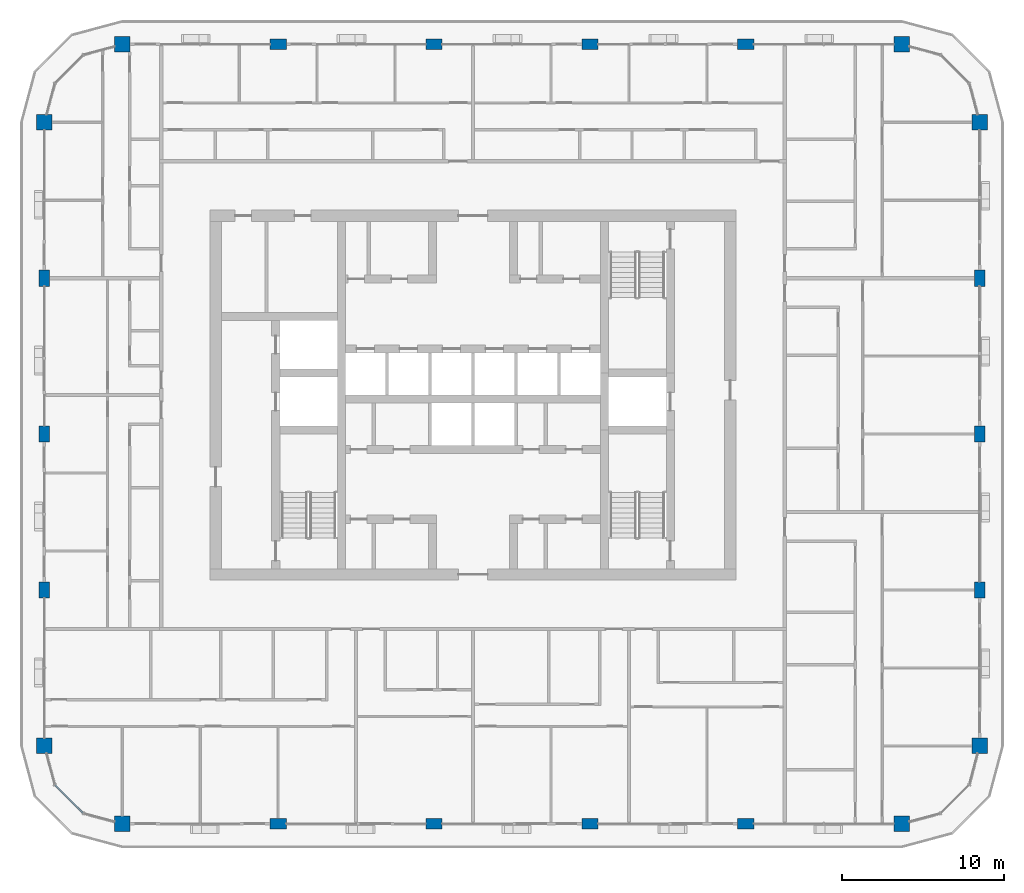
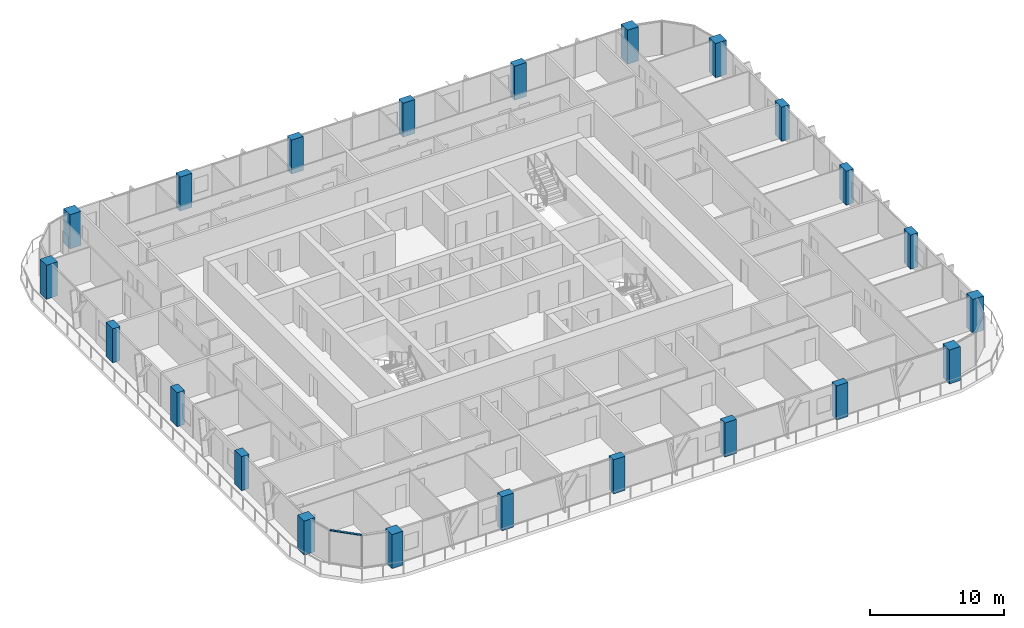
# One storey, part 1 of 22: 22 columns, 1 member, 1 element without a shape of its own.
"""IFC4 building model written with IfcOpenShell, lengths in metres."""

from ifc_helpers import new_model, si_unit, direction, frame, origin, origin_2d, place, context, subcontext, project, spatial, rectangle, extrude, material, layer, layer_set, material_profile, profile_set, type_object, element, aggregate, save


model = new_model("IFC4")

# Units and contexts
model_context = context("Model", 3, precision=1e-05, world=origin(), true_north=direction((0.0, 1.0)))
body_context = subcontext(model_context, "Body", "Model", "MODEL_VIEW")
ifc_project = project(units=[si_unit("LENGTHUNIT", "METRE"), si_unit("AREAUNIT", "SQUARE_METRE"), si_unit("VOLUMEUNIT", "CUBIC_METRE"), si_unit("PLANEANGLEUNIT", "RADIAN"), si_unit("MASSUNIT", "GRAM", prefix="KILO")], contexts=[model_context])

# Site, building, storey
site_placement = place(None, origin())
site = spatial("IfcSite", under=ifc_project, at=site_placement, CompositionType="ELEMENT")
building_placement = place(site_placement, origin())
building = spatial("IfcBuilding", under=site, at=building_placement, Name="Madar Terraces", CompositionType="ELEMENT")
storey_placement = place(building_placement, frame((0.0, 0.0, 199.89990234375)))
storey = spatial("IfcBuildingStorey", under=building, at=storey_placement, Name="L52", CompositionType="ELEMENT", Elevation=199.89990234375)

# Columns
ifc_material_1 = material(Name="Concrete C60/75", Category="concrete")
ifc_material_profile_1 = material_profile(ifc_material_1, rectangle(XDim=1.0, YDim=0.64990234375, at=origin_2d()), Name="CC4 RC 1000x650")
ifc_profile_set_1 = profile_set([ifc_material_profile_1], Name="Concrete C60/75")
column_type_1 = type_object("IfcColumnType", Name="CC4 RC 1000x650", PredefinedType="COLUMN", material=ifc_profile_set_1)
for number, where, z_axis, x_axis, name in (
    (1, (19.199951171875, 0.0, 0.0), (0.0, 0.0, 1.0), (1.0, 0.0, 0.0), "Perimeter column S2"),
    (2, (28.800048828125, 0.0, 0.0), (0.0, 0.0, 1.0), (1.0, 0.0, 0.0), "Perimeter column S3"),
    (3, (38.39990234375, 0.0, 0.0), (0.0, 0.0, 1.0), (1.0, 0.0, 0.0), "Perimeter column S4"),
    (4, (48.0, 0.0, 0.0), (0.0, 0.0, 1.0), (1.0, 0.0, 0.0), "Perimeter column S5"),
    (5, (62.39990234375, 14.39990234375, 0.0), (0.0, 0.0, 1.0), (0.0, 1.0, 0.0), "Perimeter column E2"),
    (6, (62.39990234375, 24.0, 0.0), (0.0, 0.0, 1.0), (0.0, 1.0, 0.0), "Perimeter column E3"),
    (7, (62.39990234375, 33.60009765625, 0.0), (0.0, 0.0, 1.0), (0.0, 1.0, 0.0), "Perimeter column E4"),
    (8, (48.0, 48.0, 0.0), (0.0, 0.0, 1.0), (1.0, 0.0, 0.0), "Perimeter column N2"),
    (9, (38.39990234375, 48.0, 0.0), (0.0, 0.0, 1.0), (1.0, 0.0, 0.0), "Perimeter column N3"),
    (10, (28.800048828125, 48.0, 0.0), (0.0, 0.0, 1.0), (1.0, 0.0, 0.0), "Perimeter column N4"),
    (11, (19.199951171875, 48.0, 0.0), (0.0, 0.0, 1.0), (1.0, 0.0, 0.0), "Perimeter column N5"),
    (12, (4.800048828125, 33.60009765625, 0.0), (0.0, 0.0, 1.0), (0.0, 1.0, 0.0), "Perimeter column W2"),
    (13, (4.800048828125, 24.0, 0.0), (0.0, 0.0, 1.0), (0.0, 1.0, 0.0), "Perimeter column W3"),
    (14, (4.800048828125, 14.39990234375, 0.0), (0.0, 0.0, 1.0), (0.0, 1.0, 0.0), "Perimeter column W4"),
):
    element("IfcColumn", number, at=place(storey_placement, frame(where, z_axis=z_axis, x_axis=x_axis)), inside=storey, type_object=column_type_1, Name=name, PredefinedType="COLUMN", context=body_context, shape_type="SweptSolid", body=[
        extrude(rectangle(XDim=1.0, YDim=0.64990234375, at=origin_2d()), origin(), (0.0, 0.0, 1.0), 3.10009765625),
    ])
ifc_material_2 = material(Name="Concrete C60/75", Category="concrete")
ifc_material_profile_2 = material_profile(ifc_material_2, rectangle(XDim=0.949951171875, YDim=0.949951171875, at=origin_2d()), Name="KC4 RC 950x950")
ifc_profile_set_2 = profile_set([ifc_material_profile_2], Name="Concrete C60/75")
column_type_2 = type_object("IfcColumnType", Name="KC4 RC 950x950", PredefinedType="COLUMN", material=ifc_profile_set_2)
for number, where, z_axis, x_axis, name in (
    (15, (9.60009765625, 0.0, 0.0), (0.0, 0.0, 1.0), (1.0, 0.0, 0.0), "Perimeter column S1"),
    (16, (57.60009765625, 0.0, 0.0), (0.0, 0.0, 1.0), (1.0, 0.0, 0.0), "Perimeter column S6"),
    (17, (62.39990234375, 4.800048828125, 0.0), (0.0, 0.0, 1.0), (1.0, 0.0, 0.0), "Perimeter column E1"),
    (18, (62.39990234375, 43.199951171875, 0.0), (0.0, 0.0, 1.0), (1.0, 0.0, 0.0), "Perimeter column E5"),
    (19, (57.60009765625, 48.0, 0.0), (0.0, 0.0, 1.0), (1.0, 0.0, 0.0), "Perimeter column N1"),
    (20, (9.60009765625, 48.0, 0.0), (0.0, 0.0, 1.0), (1.0, 0.0, 0.0), "Perimeter column N6"),
    (21, (4.800048828125, 43.199951171875, 0.0), (0.0, 0.0, 1.0), (1.0, 0.0, 0.0), "Perimeter column W1"),
    (22, (4.800048828125, 4.800048828125, 0.0), (0.0, 0.0, 1.0), (1.0, 0.0, 0.0), "Perimeter column W5"),
):
    element("IfcColumn", number, at=place(storey_placement, frame(where, z_axis=z_axis, x_axis=x_axis)), inside=storey, type_object=column_type_2, Name=name, PredefinedType="COLUMN", context=body_context, shape_type="SweptSolid", body=[
        extrude(rectangle(XDim=0.949951171875, YDim=0.949951171875, at=origin_2d()), origin(), (0.0, 0.0, 1.0), 3.10009765625),
    ])

# Curtain wall, member
ifc_material_3 = material(Name="Glass, ceramic frit dark grey, with black aluminium frame", Category="aluminium")
ifc_layer = layer(ifc_material_3, 0.199951171875)
ifc_layer_set = layer_set([ifc_layer], Name="Facade curtain wall, fritted glass")
curtain_wall_type = type_object("IfcCurtainWallType", Name="Facade curtain wall, fritted glass", PredefinedType="NOTDEFINED", material=ifc_layer_set)
curtain_wall_placement = place(storey_placement, origin())
curtain_wall = element("IfcCurtainWall", 23, at=curtain_wall_placement, inside=storey, type_object=curtain_wall_type, Name="Outer skin curtain wall south-west corner", PredefinedType="NOTDEFINED")
ifc_material_4 = material(Name="Aluminium, black anodised", Category="aluminium")
ifc_material_profile_3 = material_profile(ifc_material_4, rectangle(XDim=0.1201171875, YDim=0.06005859375, at=origin_2d()), Name="Facade transom 60x120")
ifc_profile_set_3 = profile_set([ifc_material_profile_3], Name="Aluminium, black anodised")
member_type = type_object("IfcMemberType", Name="Facade transom 60x120", PredefinedType="USERDEFINED", material=ifc_profile_set_3)
member_placement = place(storey_placement, frame((5.46435546875, 2.37890625, 3.070068359375), z_axis=(0.707056433593, -0.707157125196, 0.0), x_axis=(0.707157125196, 0.707056433593, 0.0)))
member = element("IfcMember", 24, at=member_placement, type_object=member_type, Name="Transom 2", ObjectType="TRANSOM", PredefinedType="USERDEFINED", context=body_context, shape_type="SweptSolid", body=[
    extrude(rectangle(XDim=0.1201171875, YDim=0.06005859375, at=origin_2d()), origin(), (0.0, 0.0, 1.0), 2.424560546875),
])
aggregate(curtain_wall, [member])

save(model, "model.ifc")
